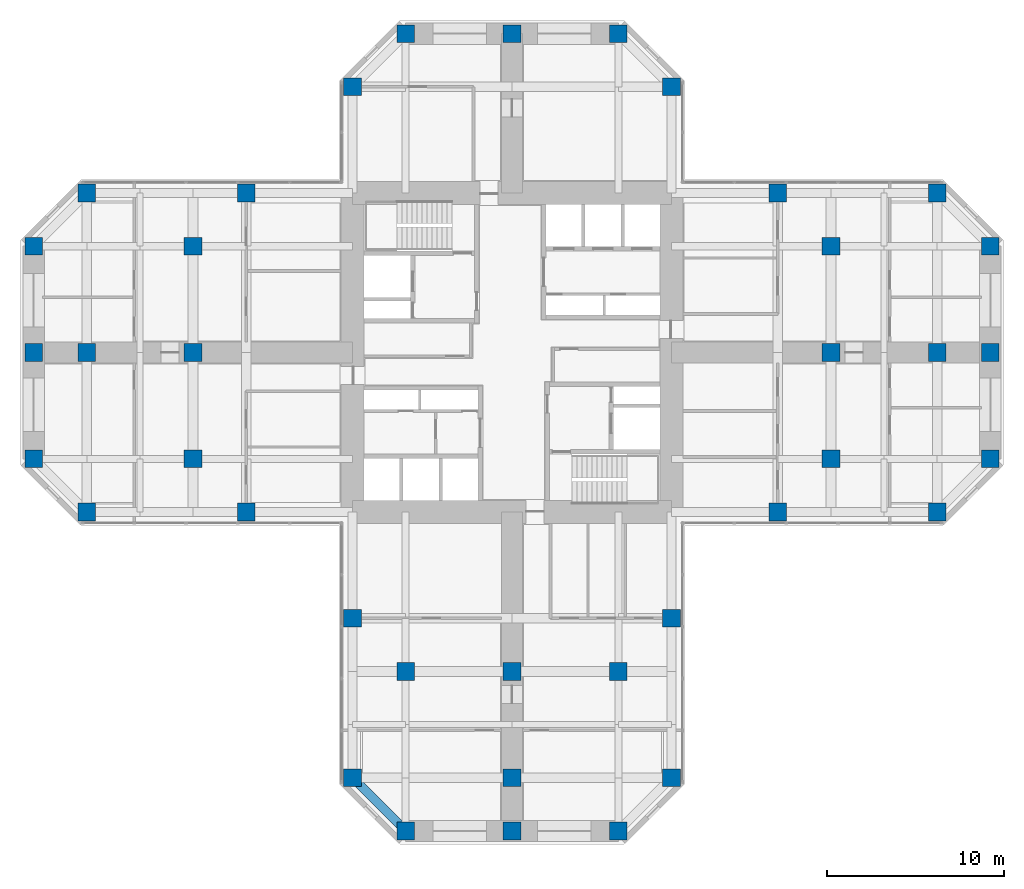
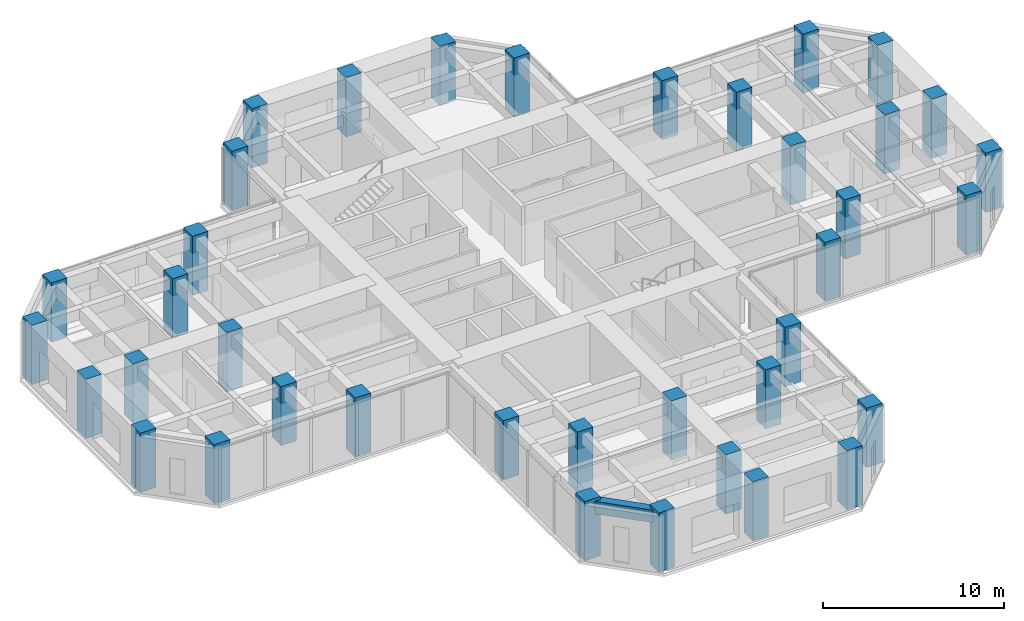
# One storey, part 1 of 13: 38 columns, 1 beam.
"""IFC4 building model written with IfcOpenShell, lengths in metres."""

import ifcopenshell
import ifcopenshell.guid

model = None  # the IFC model being written
_history = None  # IfcOwnerHistory: only IFC2X3 demands one
_inside = {}  # id of a spatial element -> (the spatial element, [elements in it])
_under = {}  # id of a project, library or spatial element -> (it, [spatial elements below it])
_declared = {}  # id of a project -> (the project, [libraries it declares])
_typed = {}  # id of a type object -> (the type object, [elements of that type])
_made_of = {}  # id of a material, layer set ... -> (it, [elements and type objects made of it])


def new_model(schema):
    """Start an empty IFC model of exactly this schema.

    Asked for "IFC4X3", IfcOpenShell would pick the latest addendum, in which some entities
    have other attributes; the version numbers below select the first issue.
    IFC2X3 requires an IfcOwnerHistory on every rooted entity: one is made here for all.
    """
    global model, _history
    if schema == "IFC4X3":
        model = ifcopenshell.file(schema_version=(4, 3, 0, 0))
    else:
        model = ifcopenshell.file(schema=schema)
    _inside.clear()
    _under.clear()
    _declared.clear()
    _typed.clear()
    _made_of.clear()
    _history = None
    if model.schema == "IFC2X3":
        org = make("IfcOrganization", Name="unknown")
        user = make(
            "IfcPersonAndOrganization",
            ThePerson=make("IfcPerson", FamilyName="unknown"),
            TheOrganization=org,
        )
        app = make(
            "IfcApplication",
            ApplicationDeveloper=org,
            Version="unknown",
            ApplicationFullName="unknown",
            ApplicationIdentifier="unknown",
        )
        _history = make(
            "IfcOwnerHistory",
            OwningUser=user,
            OwningApplication=app,
            ChangeAction="ADDED",
            CreationDate=0,
        )
    return model


def make(cls, **values):
    """One entity of the class cls with the attributes given. An attribute that is None is left unset."""
    return model.create_entity(
        cls, **{name: value for name, value in values.items() if value is not None}
    )


def rooted(cls, **values):
    """An entity with a GlobalId (a new one), such as an element, a storey or a relation."""
    return make(cls, GlobalId=ifcopenshell.guid.new(), OwnerHistory=_history, **values)


def si_unit(unit_type, name, prefix=None):
    """IfcSIUnit, for example si_unit("LENGTHUNIT", "METRE", prefix="MILLI")."""
    return make("IfcSIUnit", UnitType=unit_type, Prefix=prefix, Name=name)


def assignment(units):
    """IfcUnitAssignment: the units of a project."""
    return None if units is None else make("IfcUnitAssignment", Units=units)


def point(xyz):
    """IfcCartesianPoint."""
    return None if xyz is None else make("IfcCartesianPoint", Coordinates=xyz)


def direction(xyz):
    """IfcDirection."""
    return None if xyz is None else make("IfcDirection", DirectionRatios=xyz)


def frame(location, z_axis=None, x_axis=None):
    """IfcAxis2Placement3D, a coordinate frame: its origin and axes. An axis left out is left unset."""
    return make(
        "IfcAxis2Placement3D",
        Location=point(location),
        Axis=direction(z_axis),
        RefDirection=direction(x_axis),
    )


def frame_2d(location, x_axis=None):
    """IfcAxis2Placement2D, a coordinate frame in the plane: its origin and x axis."""
    return make(
        "IfcAxis2Placement2D", Location=point(location), RefDirection=direction(x_axis)
    )


def origin():
    """The frame at (0, 0, 0) with its axes left unset."""
    return frame((0.0, 0.0, 0.0))


def origin_2d():
    """The frame at (0, 0) in the plane with its x axis left unset."""
    return frame_2d((0.0, 0.0))


def place(relative_to, where):
    """IfcLocalPlacement: puts the frame where relative to a parent placement (None: the world)."""
    return make(
        "IfcLocalPlacement", PlacementRelTo=relative_to, RelativePlacement=where
    )


def context(
    kind, dimensions, precision=None, world=None, true_north=None, identifier=None
):
    """IfcGeometricRepresentationContext, for example the 3D "Model" context."""
    return make(
        "IfcGeometricRepresentationContext",
        ContextIdentifier=identifier,
        ContextType=kind,
        CoordinateSpaceDimension=dimensions,
        Precision=precision,
        WorldCoordinateSystem=world,
        TrueNorth=true_north,
    )


def subcontext(parent, identifier, kind, view, scale=None):
    """IfcGeometricRepresentationSubContext, for example "Body" below "Model"."""
    return make(
        "IfcGeometricRepresentationSubContext",
        ContextIdentifier=identifier,
        ContextType=kind,
        ParentContext=parent,
        TargetScale=scale,
        TargetView=view,
    )


def project(units=None, contexts=None):
    """IfcProject with its units and contexts."""
    return rooted(
        "IfcProject",
        Name="project",
        RepresentationContexts=contexts,
        UnitsInContext=assignment(units),
    )


def spatial(cls, under=None, at=None, **own):
    """A site, building, storey or space (cls), placed at a placement, below another one or the project."""
    s = rooted(cls, ObjectPlacement=at, **own)
    if under is not None:
        _under.setdefault(under.id(), (under, []))[1].append(s)
    return s


def profile(cls, at=None, kind="AREA", **sizes):
    """A parametric profile (cls). Its sizes go by their IFC names, for example OverallWidth=200.0."""
    return make(cls, ProfileType=kind, Position=at, **sizes)


def rectangle(**sizes):
    """IfcRectangleProfileDef."""
    return profile("IfcRectangleProfileDef", **sizes)


def extrude(swept, where, along, depth):
    """IfcExtrudedAreaSolid: the profile swept, set in the frame where, extruded along a direction by depth."""
    return make(
        "IfcExtrudedAreaSolid",
        SweptArea=swept,
        Position=where,
        ExtrudedDirection=direction(along),
        Depth=depth,
    )


def shape(context_of_items, identifier, shape_type, items):
    """IfcShapeRepresentation: the items that make up one representation, for example the "Body"."""
    return make(
        "IfcShapeRepresentation",
        ContextOfItems=context_of_items,
        RepresentationIdentifier=identifier,
        RepresentationType=shape_type,
        Items=items,
    )


def material(Name=None, Category=None):
    """IfcMaterial."""
    return make("IfcMaterial", Name=Name, Category=Category)


def material_profile(
    of_material, cross_section, Name=None, Category=None, Priority=None
):
    """IfcMaterialProfile: a cross section and its material."""
    return make(
        "IfcMaterialProfile",
        Name=Name,
        Material=of_material,
        Profile=cross_section,
        Priority=Priority,
        Category=Category,
    )


def profile_set(profiles, Name=None, composite=None):
    """IfcMaterialProfileSet."""
    return make(
        "IfcMaterialProfileSet",
        Name=Name,
        MaterialProfiles=profiles,
        CompositeProfile=composite,
    )


def made_of(thing, what):
    """Note that an element or type object is made of a material, layer set ...; save() writes the relation."""
    if what is not None:
        _made_of.setdefault(what.id(), (what, []))[1].append(thing)
    return thing


def type_object(cls, material=None, **own):
    """A type object (cls), such as IfcWallType, which elements share."""
    return made_of(rooted(cls, **own), material)


def element(
    cls,
    number,
    at=None,
    inside=None,
    cuts=None,
    type_object=None,
    material=None,
    context=None,
    identifier="Body",
    shape_type=None,
    held_by="IfcProductDefinitionShape",
    body=None,
    shapes=None,
    **own,
):
    """One element of the class cls, such as IfcWall. Its Tag is "e" and its number.

    at: its placement. inside: the storey or other place that contains it. cuts: it is an
    opening in that element (IfcRelVoidsElement). A single representation is given by context,
    identifier, shape_type and body (its items); several are given by shapes. held_by: the class
    of the entity that holds the representations. save() writes the other relations.
    """
    e = rooted(cls, Tag="e%d" % number, ObjectPlacement=at, **own)
    if body is not None:
        shapes = [shape(context, identifier, shape_type, body)]
    if shapes is not None:
        e.Representation = make(held_by, Representations=shapes)
    if inside is not None:
        _inside.setdefault(inside.id(), (inside, []))[1].append(e)
    if cuts is not None:
        rooted(
            "IfcRelVoidsElement", RelatingBuildingElement=cuts, RelatedOpeningElement=e
        )
    if type_object is not None:
        _typed.setdefault(type_object.id(), (type_object, []))[1].append(e)
    return made_of(e, material)


def aggregate(whole, parts):
    """IfcRelAggregates: a whole, such as a stair, and the parts it consists of."""
    return rooted("IfcRelAggregates", RelatingObject=whole, RelatedObjects=parts)


def save(model, path):
    """Write the relations noted so far, then the file.

    IfcRelAggregates (storeys below a building ...), IfcRelContainedInSpatialStructure (elements
    in a storey), IfcRelDefinesByType, IfcRelAssociatesMaterial and IfcRelDeclares: one each for
    every whole, place, type object, material and project.
    """
    for whole, parts in _under.values():
        aggregate(whole, parts)
    for where, things in _inside.values():
        rooted(
            "IfcRelContainedInSpatialStructure",
            RelatedElements=things,
            RelatingStructure=where,
        )
    for kind, things in _typed.values():
        rooted("IfcRelDefinesByType", RelatedObjects=things, RelatingType=kind)
    for what, things in _made_of.values():
        rooted("IfcRelAssociatesMaterial", RelatedObjects=things, RelatingMaterial=what)
    for by, libraries in _declared.values():
        rooted("IfcRelDeclares", RelatingContext=by, RelatedDefinitions=libraries)
    model.write(path)


model = new_model("IFC4")

# Units and contexts
model_context = context("Model", 3, precision=1e-05, world=origin(), true_north=direction((0.0, 1.0)))
body_context = subcontext(model_context, "Body", "Model", "MODEL_VIEW")
ifc_project = project(units=[si_unit("LENGTHUNIT", "METRE"), si_unit("AREAUNIT", "SQUARE_METRE"), si_unit("VOLUMEUNIT", "CUBIC_METRE"), si_unit("PLANEANGLEUNIT", "RADIAN"), si_unit("MASSUNIT", "GRAM", prefix="KILO")], contexts=[model_context])

# Site, building, storey
site_placement = place(None, origin())
site = spatial("IfcSite", under=ifc_project, at=site_placement, CompositionType="ELEMENT")
building_placement = place(site_placement, origin())
building = spatial("IfcBuilding", under=site, at=building_placement, Name="Torre Cruceta", CompositionType="ELEMENT")
storey_placement = place(building_placement, frame((0.0, 0.0, 132.5)))
storey = spatial("IfcBuildingStorey", under=building, at=storey_placement, Name="L32", CompositionType="ELEMENT", Elevation=132.5)

# Columns
ifc_material_1 = material(Name="Concrete G60 (fck 60 MPa)", Category="concrete")
ifc_material_profile_1 = material_profile(ifc_material_1, rectangle(XDim=1.0, YDim=1.0, at=origin_2d()), Name="RC 1000X1000")
ifc_profile_set_1 = profile_set([ifc_material_profile_1], Name="Concrete G60 (fck 60 MPa)")
column_type = type_object("IfcColumnType", Name="COLUMN RC 1000X1000", PredefinedType="COLUMN", material=ifc_profile_set_1)
for number, where, z_axis, x_axis, name in (
    (1, (9.0, 15.0, 0.0), (0.0, 0.0, 1.0), (1.0, 0.0, 0.0), "C5 L32 N chamfer"),
    (2, (-9.0, 15.0, 0.0), (0.0, 0.0, 1.0), (1.0, 0.0, 0.0), "C5 L32 N chamfer"),
    (3, (6.0, 18.0, 0.0), (0.0, 0.0, 1.0), (1.0, 0.0, 0.0), "C5 L32 N tip"),
    (4, (0.0, 18.0, 0.0), (0.0, 0.0, 1.0), (1.0, 0.0, 0.0), "C5 L32 N tip"),
    (5, (-6.0, 18.0, 0.0), (0.0, 0.0, 1.0), (1.0, 0.0, 0.0), "C5 L32 N tip"),
    (6, (15.0, -9.0, 0.0), (0.0, 0.0, 1.0), (1.0, 0.0, 0.0), "C5 L32 E side"),
    (7, (24.0, -9.0, 0.0), (0.0, 0.0, 1.0), (1.0, 0.0, 0.0), "C5 L32 E chamfer"),
    (8, (15.0, 9.0, 0.0), (0.0, 0.0, 1.0), (1.0, 0.0, 0.0), "C5 L32 E side"),
    (9, (24.0, 9.0, 0.0), (0.0, 0.0, 1.0), (1.0, 0.0, 0.0), "C5 L32 E chamfer"),
    (10, (27.0, -6.0, 0.0), (0.0, 0.0, 1.0), (1.0, 0.0, 0.0), "C5 L32 E tip"),
    (11, (27.0, 0.0, 0.0), (0.0, 0.0, 1.0), (1.0, 0.0, 0.0), "C5 L32 E tip"),
    (12, (27.0, 6.0, 0.0), (0.0, 0.0, 1.0), (1.0, 0.0, 0.0), "C5 L32 E tip"),
    (13, (-9.0, -15.0, 0.0), (0.0, 0.0, 1.0), (1.0, 0.0, 0.0), "C5 L32 S side"),
    (14, (-9.0, -24.0, 0.0), (0.0, 0.0, 1.0), (1.0, 0.0, 0.0), "C5 L32 S chamfer"),
    (15, (9.0, -15.0, 0.0), (0.0, 0.0, 1.0), (1.0, 0.0, 0.0), "C5 L32 S side"),
    (16, (9.0, -24.0, 0.0), (0.0, 0.0, 1.0), (1.0, 0.0, 0.0), "C5 L32 S chamfer"),
    (17, (-6.0, -27.0, 0.0), (0.0, 0.0, 1.0), (1.0, 0.0, 0.0), "C5 L32 S tip"),
    (18, (0.0, -27.0, 0.0), (0.0, 0.0, 1.0), (1.0, 0.0, 0.0), "C5 L32 S tip"),
    (19, (6.0, -27.0, 0.0), (0.0, 0.0, 1.0), (1.0, 0.0, 0.0), "C5 L32 S tip"),
    (20, (-15.0, 9.0, 0.0), (0.0, 0.0, 1.0), (1.0, 0.0, 0.0), "C5 L32 W side"),
    (21, (-24.0, 9.0, 0.0), (0.0, 0.0, 1.0), (1.0, 0.0, 0.0), "C5 L32 W chamfer"),
    (22, (-15.0, -9.0, 0.0), (0.0, 0.0, 1.0), (1.0, 0.0, 0.0), "C5 L32 W side"),
    (23, (-24.0, -9.0, 0.0), (0.0, 0.0, 1.0), (1.0, 0.0, 0.0), "C5 L32 W chamfer"),
    (24, (-27.0, 6.0, 0.0), (0.0, 0.0, 1.0), (1.0, 0.0, 0.0), "C5 L32 W tip"),
    (25, (-27.0, 0.0, 0.0), (0.0, 0.0, 1.0), (1.0, 0.0, 0.0), "C5 L32 W tip"),
    (26, (-27.0, -6.0, 0.0), (0.0, 0.0, 1.0), (1.0, 0.0, 0.0), "C5 L32 W tip"),
    (27, (18.0, -6.0, 0.0), (0.0, 0.0, 1.0), (1.0, 0.0, 0.0), "C5 L32 E interior"),
    (28, (18.0, 0.0, 0.0), (0.0, 0.0, 1.0), (1.0, 0.0, 0.0), "C5 L32 E interior"),
    (29, (18.0, 6.0, 0.0), (0.0, 0.0, 1.0), (1.0, 0.0, 0.0), "C5 L32 E interior"),
    (30, (24.0, 0.0, 0.0), (0.0, 0.0, 1.0), (1.0, 0.0, 0.0), "C5 L32 E interior"),
    (31, (-6.0, -18.0, 0.0), (0.0, 0.0, 1.0), (1.0, 0.0, 0.0), "C5 L32 S interior"),
    (32, (0.0, -18.0, 0.0), (0.0, 0.0, 1.0), (1.0, 0.0, 0.0), "C5 L32 S interior"),
    (33, (6.0, -18.0, 0.0), (0.0, 0.0, 1.0), (1.0, 0.0, 0.0), "C5 L32 S interior"),
    (34, (0.0, -24.0, 0.0), (0.0, 0.0, 1.0), (1.0, 0.0, 0.0), "C5 L32 S interior"),
    (35, (-18.0, 6.0, 0.0), (0.0, 0.0, 1.0), (1.0, 0.0, 0.0), "C5 L32 W interior"),
    (36, (-18.0, 0.0, 0.0), (0.0, 0.0, 1.0), (1.0, 0.0, 0.0), "C5 L32 W interior"),
    (37, (-18.0, -6.0, 0.0), (0.0, 0.0, 1.0), (1.0, 0.0, 0.0), "C5 L32 W interior"),
    (38, (-24.0, 0.0, 0.0), (0.0, 0.0, 1.0), (1.0, 0.0, 0.0), "C5 L32 W interior"),
):
    element("IfcColumn", number, at=place(storey_placement, frame(where, z_axis=z_axis, x_axis=x_axis)), inside=storey, type_object=column_type, Name=name, PredefinedType="COLUMN", context=body_context, shape_type="SweptSolid", body=[
        extrude(rectangle(XDim=1.0, YDim=1.0, at=origin_2d()), origin(), (0.0, 0.0, 1.0), 4.0),
    ])

# Beam
ifc_material_2 = material(Name="Concrete G60 (fck 60 MPa)", Category="concrete")
ifc_material_profile_2 = material_profile(ifc_material_2, rectangle(XDim=0.5, YDim=0.85009765625, at=origin_2d()), Name="RC 500X850")
ifc_profile_set_2 = profile_set([ifc_material_profile_2], Name="Concrete G60 (fck 60 MPa)")
beam_type = type_object("IfcBeamType", Name="SPANDREL BEAM RC 500X850", PredefinedType="SPANDREL", material=ifc_profile_set_2)
beam_placement = place(storey_placement, frame((-9.0, -24.0, 3.375), z_axis=(0.707106781187, -0.707106781187, 0.0), x_axis=(0.707106781187, 0.707106781187, 0.0)))
element("IfcBeam", 39, at=beam_placement, inside=storey, type_object=beam_type, Name="SB5 L32 S side- 5", PredefinedType="SPANDREL", context=body_context, shape_type="SweptSolid", body=[
    extrude(rectangle(XDim=0.5, YDim=0.85009765625, at=origin_2d()), origin(), (0.0, 0.0, 1.0), 4.24267578125),
])

save(model, "model.ifc")
